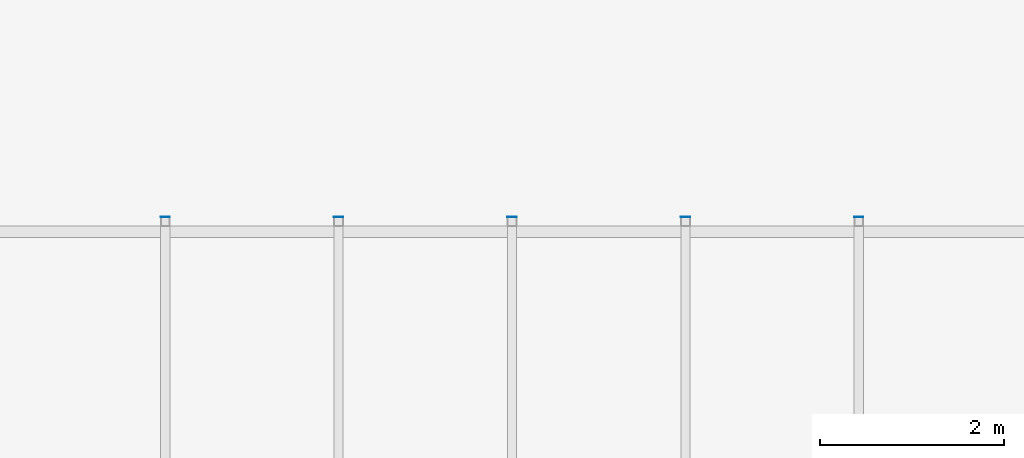
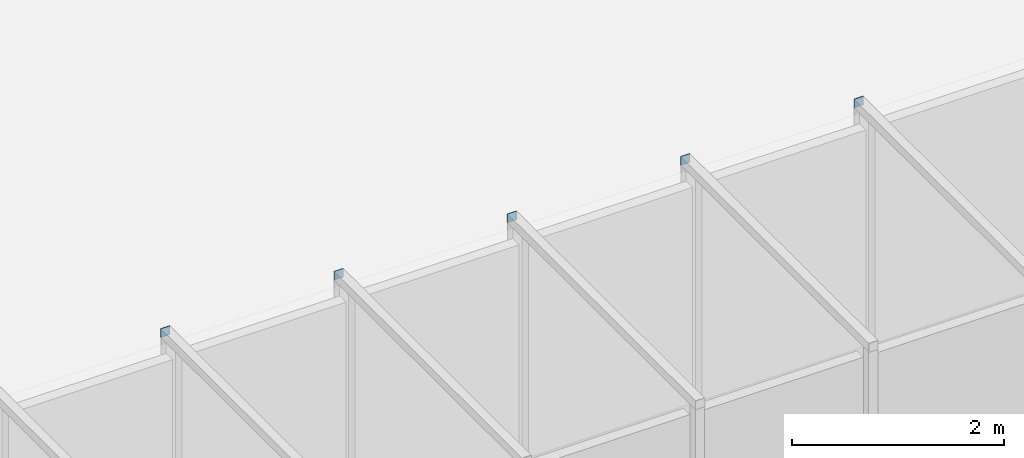
# One storey, part 42 of 85: 5 plates, 1 element without a shape of its own.
"""IFC4 building model written with IfcOpenShell, lengths in metres."""

import ifcopenshell
import ifcopenshell.guid

model = None  # the IFC model being written
_history = None  # IfcOwnerHistory: only IFC2X3 demands one
_inside = {}  # id of a spatial element -> (the spatial element, [elements in it])
_under = {}  # id of a project, library or spatial element -> (it, [spatial elements below it])
_declared = {}  # id of a project -> (the project, [libraries it declares])
_typed = {}  # id of a type object -> (the type object, [elements of that type])
_made_of = {}  # id of a material, layer set ... -> (it, [elements and type objects made of it])


def new_model(schema):
    """Start an empty IFC model of exactly this schema.

    Asked for "IFC4X3", IfcOpenShell would pick the latest addendum, in which some entities
    have other attributes; the version numbers below select the first issue.
    IFC2X3 requires an IfcOwnerHistory on every rooted entity: one is made here for all.
    """
    global model, _history
    if schema == "IFC4X3":
        model = ifcopenshell.file(schema_version=(4, 3, 0, 0))
    else:
        model = ifcopenshell.file(schema=schema)
    _inside.clear()
    _under.clear()
    _declared.clear()
    _typed.clear()
    _made_of.clear()
    _history = None
    if model.schema == "IFC2X3":
        org = make("IfcOrganization", Name="unknown")
        user = make(
            "IfcPersonAndOrganization",
            ThePerson=make("IfcPerson", FamilyName="unknown"),
            TheOrganization=org,
        )
        app = make(
            "IfcApplication",
            ApplicationDeveloper=org,
            Version="unknown",
            ApplicationFullName="unknown",
            ApplicationIdentifier="unknown",
        )
        _history = make(
            "IfcOwnerHistory",
            OwningUser=user,
            OwningApplication=app,
            ChangeAction="ADDED",
            CreationDate=0,
        )
    return model


def make(cls, **values):
    """One entity of the class cls with the attributes given. An attribute that is None is left unset."""
    return model.create_entity(
        cls, **{name: value for name, value in values.items() if value is not None}
    )


def rooted(cls, **values):
    """An entity with a GlobalId (a new one), such as an element, a storey or a relation."""
    return make(cls, GlobalId=ifcopenshell.guid.new(), OwnerHistory=_history, **values)


def si_unit(unit_type, name, prefix=None):
    """IfcSIUnit, for example si_unit("LENGTHUNIT", "METRE", prefix="MILLI")."""
    return make("IfcSIUnit", UnitType=unit_type, Prefix=prefix, Name=name)


def assignment(units):
    """IfcUnitAssignment: the units of a project."""
    return None if units is None else make("IfcUnitAssignment", Units=units)


def point(xyz):
    """IfcCartesianPoint."""
    return None if xyz is None else make("IfcCartesianPoint", Coordinates=xyz)


def direction(xyz):
    """IfcDirection."""
    return None if xyz is None else make("IfcDirection", DirectionRatios=xyz)


def frame(location, z_axis=None, x_axis=None):
    """IfcAxis2Placement3D, a coordinate frame: its origin and axes. An axis left out is left unset."""
    return make(
        "IfcAxis2Placement3D",
        Location=point(location),
        Axis=direction(z_axis),
        RefDirection=direction(x_axis),
    )


def frame_2d(location, x_axis=None):
    """IfcAxis2Placement2D, a coordinate frame in the plane: its origin and x axis."""
    return make(
        "IfcAxis2Placement2D", Location=point(location), RefDirection=direction(x_axis)
    )


def origin():
    """The frame at (0, 0, 0) with its axes left unset."""
    return frame((0.0, 0.0, 0.0))


def origin_2d():
    """The frame at (0, 0) in the plane with its x axis left unset."""
    return frame_2d((0.0, 0.0))


def place(relative_to, where):
    """IfcLocalPlacement: puts the frame where relative to a parent placement (None: the world)."""
    return make(
        "IfcLocalPlacement", PlacementRelTo=relative_to, RelativePlacement=where
    )


def context(
    kind, dimensions, precision=None, world=None, true_north=None, identifier=None
):
    """IfcGeometricRepresentationContext, for example the 3D "Model" context."""
    return make(
        "IfcGeometricRepresentationContext",
        ContextIdentifier=identifier,
        ContextType=kind,
        CoordinateSpaceDimension=dimensions,
        Precision=precision,
        WorldCoordinateSystem=world,
        TrueNorth=true_north,
    )


def subcontext(parent, identifier, kind, view, scale=None):
    """IfcGeometricRepresentationSubContext, for example "Body" below "Model"."""
    return make(
        "IfcGeometricRepresentationSubContext",
        ContextIdentifier=identifier,
        ContextType=kind,
        ParentContext=parent,
        TargetScale=scale,
        TargetView=view,
    )


def project(units=None, contexts=None):
    """IfcProject with its units and contexts."""
    return rooted(
        "IfcProject",
        Name="project",
        RepresentationContexts=contexts,
        UnitsInContext=assignment(units),
    )


def spatial(cls, under=None, at=None, **own):
    """A site, building, storey or space (cls), placed at a placement, below another one or the project."""
    s = rooted(cls, ObjectPlacement=at, **own)
    if under is not None:
        _under.setdefault(under.id(), (under, []))[1].append(s)
    return s


def profile(cls, at=None, kind="AREA", **sizes):
    """A parametric profile (cls). Its sizes go by their IFC names, for example OverallWidth=200.0."""
    return make(cls, ProfileType=kind, Position=at, **sizes)


def rectangle(**sizes):
    """IfcRectangleProfileDef."""
    return profile("IfcRectangleProfileDef", **sizes)


def extrude(swept, where, along, depth):
    """IfcExtrudedAreaSolid: the profile swept, set in the frame where, extruded along a direction by depth."""
    return make(
        "IfcExtrudedAreaSolid",
        SweptArea=swept,
        Position=where,
        ExtrudedDirection=direction(along),
        Depth=depth,
    )


def shape(context_of_items, identifier, shape_type, items):
    """IfcShapeRepresentation: the items that make up one representation, for example the "Body"."""
    return make(
        "IfcShapeRepresentation",
        ContextOfItems=context_of_items,
        RepresentationIdentifier=identifier,
        RepresentationType=shape_type,
        Items=items,
    )


def material(Name=None, Category=None):
    """IfcMaterial."""
    return make("IfcMaterial", Name=Name, Category=Category)


def layer(
    of_material, thickness, ventilated=None, Name=None, Category=None, Priority=None
):
    """IfcMaterialLayer: one layer of a wall or slab, of a material (None: an air gap)."""
    return make(
        "IfcMaterialLayer",
        Material=of_material,
        LayerThickness=thickness,
        IsVentilated=ventilated,
        Name=Name,
        Category=Category,
        Priority=Priority,
    )


def layer_set(layers, Name=None):
    """IfcMaterialLayerSet."""
    return make("IfcMaterialLayerSet", MaterialLayers=layers, LayerSetName=Name)


def made_of(thing, what):
    """Note that an element or type object is made of a material, layer set ...; save() writes the relation."""
    if what is not None:
        _made_of.setdefault(what.id(), (what, []))[1].append(thing)
    return thing


def type_object(cls, material=None, **own):
    """A type object (cls), such as IfcWallType, which elements share."""
    return made_of(rooted(cls, **own), material)


def element(
    cls,
    number,
    at=None,
    inside=None,
    cuts=None,
    type_object=None,
    material=None,
    context=None,
    identifier="Body",
    shape_type=None,
    held_by="IfcProductDefinitionShape",
    body=None,
    shapes=None,
    **own,
):
    """One element of the class cls, such as IfcWall. Its Tag is "e" and its number.

    at: its placement. inside: the storey or other place that contains it. cuts: it is an
    opening in that element (IfcRelVoidsElement). A single representation is given by context,
    identifier, shape_type and body (its items); several are given by shapes. held_by: the class
    of the entity that holds the representations. save() writes the other relations.
    """
    e = rooted(cls, Tag="e%d" % number, ObjectPlacement=at, **own)
    if body is not None:
        shapes = [shape(context, identifier, shape_type, body)]
    if shapes is not None:
        e.Representation = make(held_by, Representations=shapes)
    if inside is not None:
        _inside.setdefault(inside.id(), (inside, []))[1].append(e)
    if cuts is not None:
        rooted(
            "IfcRelVoidsElement", RelatingBuildingElement=cuts, RelatedOpeningElement=e
        )
    if type_object is not None:
        _typed.setdefault(type_object.id(), (type_object, []))[1].append(e)
    return made_of(e, material)


def aggregate(whole, parts):
    """IfcRelAggregates: a whole, such as a stair, and the parts it consists of."""
    return rooted("IfcRelAggregates", RelatingObject=whole, RelatedObjects=parts)


def save(model, path):
    """Write the relations noted so far, then the file.

    IfcRelAggregates (storeys below a building ...), IfcRelContainedInSpatialStructure (elements
    in a storey), IfcRelDefinesByType, IfcRelAssociatesMaterial and IfcRelDeclares: one each for
    every whole, place, type object, material and project.
    """
    for whole, parts in _under.values():
        aggregate(whole, parts)
    for where, things in _inside.values():
        rooted(
            "IfcRelContainedInSpatialStructure",
            RelatedElements=things,
            RelatingStructure=where,
        )
    for kind, things in _typed.values():
        rooted("IfcRelDefinesByType", RelatedObjects=things, RelatingType=kind)
    for what, things in _made_of.values():
        rooted("IfcRelAssociatesMaterial", RelatedObjects=things, RelatingMaterial=what)
    for by, libraries in _declared.values():
        rooted("IfcRelDeclares", RelatingContext=by, RelatedDefinitions=libraries)
    model.write(path)


model = new_model("IFC4")

# Units and contexts
model_context = context("Model", 3, precision=1e-05, world=origin(), true_north=direction((0.0, 1.0)))
body_context = subcontext(model_context, "Body", "Model", "MODEL_VIEW")
ifc_project = project(units=[si_unit("LENGTHUNIT", "METRE"), si_unit("AREAUNIT", "SQUARE_METRE"), si_unit("VOLUMEUNIT", "CUBIC_METRE"), si_unit("PLANEANGLEUNIT", "RADIAN"), si_unit("MASSUNIT", "GRAM", prefix="KILO")], contexts=[model_context])

# Site, building, storey
site_placement = place(None, origin())
site = spatial("IfcSite", under=ifc_project, at=site_placement, CompositionType="ELEMENT")
building_placement = place(site_placement, origin())
building = spatial("IfcBuilding", under=site, at=building_placement, Name="Volute Hill Aquarium", CompositionType="ELEMENT")
storey_placement = place(building_placement, origin())
storey = spatial("IfcBuildingStorey", under=building, at=storey_placement, Name="L01", CompositionType="ELEMENT", Elevation=0.0)

# Curtain wall, plates
ifc_material_1 = material(Name="Acrylic PMMA")
curtain_wall_type = type_object("IfcCurtainWallType", Name="Viewing tunnel acrylic assembly", PredefinedType="NOTDEFINED", material=ifc_material_1)
curtain_wall_placement = place(storey_placement, origin())
curtain_wall = element("IfcCurtainWall", 1, at=curtain_wall_placement, inside=storey, type_object=curtain_wall_type, Name="Viewing tunnel acrylic assembly", PredefinedType="NOTDEFINED")
ifc_material_2 = material(Name="Steel S355", Category="steel")
ifc_layer = layer(ifc_material_2, 0.006103515625)
ifc_layer_set = layer_set([ifc_layer], Name="Tunnel frame end plate 6 S355")
plate_type = type_object("IfcPlateType", Name="Tunnel frame end plate 6 S355", PredefinedType="SHEET", material=ifc_layer_set)
plate_1_placement = place(storey_placement, frame((-9.43115234375, 1.77294921875, 2.719970703125), z_axis=(0.0, 0.0, 1.0), x_axis=(1.0, 0.0, 0.0)))
plate_1 = element("IfcPlate", 2, at=plate_1_placement, type_object=plate_type, Name="Tunnel frame end plate 4B", PredefinedType="SHEET", context=body_context, shape_type="SweptSolid", body=[
    extrude(rectangle(XDim=0.10009765625, YDim=0.006103515625, at=origin_2d()), origin(), (0.0, 0.0, 1.0), 0.10009765625),
])
plate_2_placement = place(storey_placement, frame((-7.544921875, 1.77294921875, 2.719970703125), z_axis=(0.0, 0.0, 1.0), x_axis=(1.0, 0.0, 0.0)))
plate_2 = element("IfcPlate", 3, at=plate_2_placement, type_object=plate_type, Name="Tunnel frame end plate 5B", PredefinedType="SHEET", context=body_context, shape_type="SweptSolid", body=[
    extrude(rectangle(XDim=0.10009765625, YDim=0.006103515625, at=origin_2d()), origin(), (0.0, 0.0, 1.0), 0.10009765625),
])
plate_3_placement = place(storey_placement, frame((-5.65869140625, 1.77294921875, 2.719970703125), z_axis=(0.0, 0.0, 1.0), x_axis=(1.0, 0.0, 0.0)))
plate_3 = element("IfcPlate", 4, at=plate_3_placement, type_object=plate_type, Name="Tunnel frame end plate 6B", PredefinedType="SHEET", context=body_context, shape_type="SweptSolid", body=[
    extrude(rectangle(XDim=0.10009765625, YDim=0.006103515625, at=origin_2d()), origin(), (0.0, 0.0, 1.0), 0.10009765625),
])
plate_4_placement = place(storey_placement, frame((-3.7724609375, 1.77294921875, 2.719970703125), z_axis=(0.0, 0.0, 1.0), x_axis=(1.0, 0.0, 0.0)))
plate_4 = element("IfcPlate", 5, at=plate_4_placement, type_object=plate_type, Name="Tunnel frame end plate 7B", PredefinedType="SHEET", context=body_context, shape_type="SweptSolid", body=[
    extrude(rectangle(XDim=0.10009765625, YDim=0.006103515625, at=origin_2d()), origin(), (0.0, 0.0, 1.0), 0.10009765625),
])
plate_5_placement = place(storey_placement, frame((-1.88623046875, 1.77294921875, 2.719970703125), z_axis=(0.0, 0.0, 1.0), x_axis=(1.0, 0.0, 0.0)))
plate_5 = element("IfcPlate", 6, at=plate_5_placement, type_object=plate_type, Name="Tunnel frame end plate 8B", PredefinedType="SHEET", context=body_context, shape_type="SweptSolid", body=[
    extrude(rectangle(XDim=0.10009765625, YDim=0.006103515625, at=origin_2d()), origin(), (0.0, 0.0, 1.0), 0.10009765625),
])
aggregate(curtain_wall, [plate_1, plate_2, plate_3, plate_4, plate_5])

save(model, "model.ifc")
